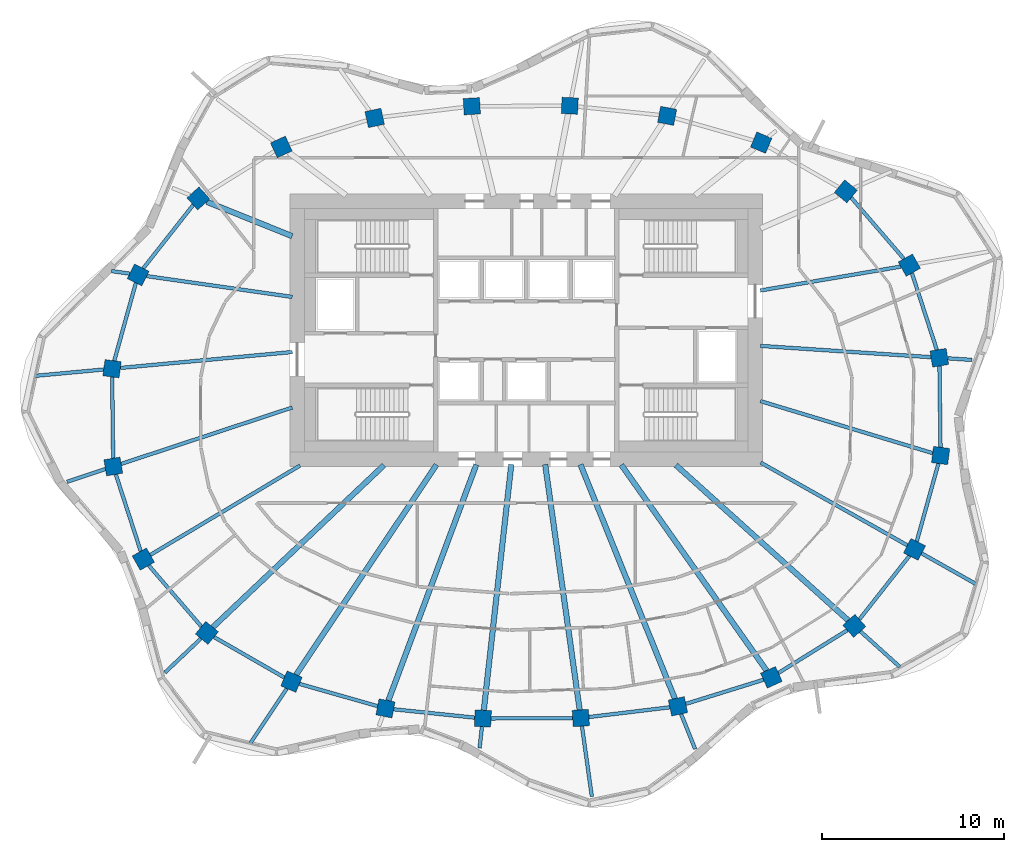
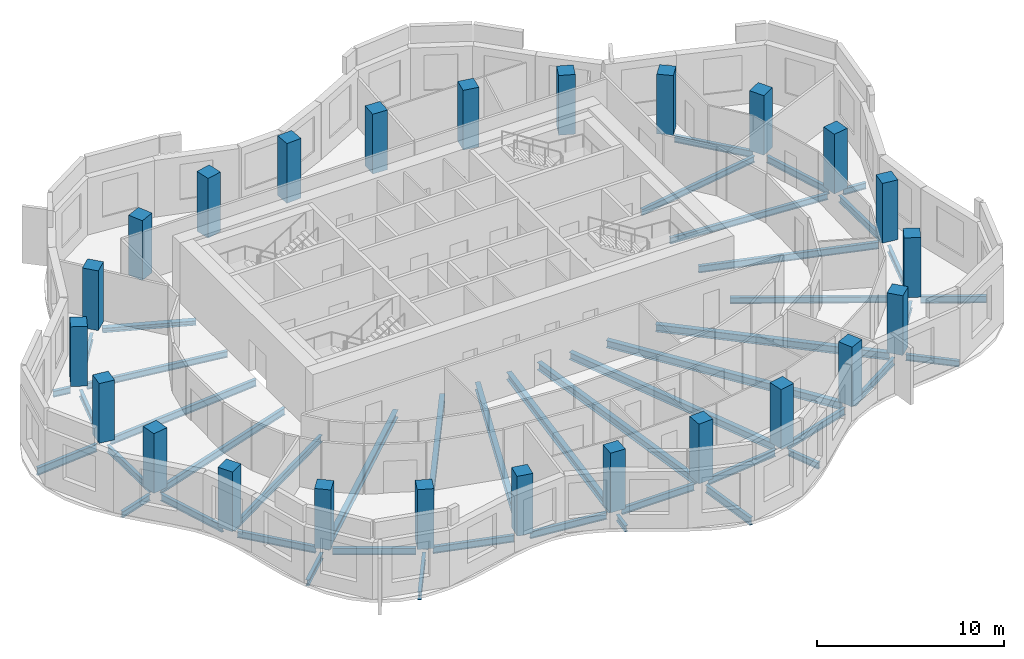
# One storey, part 1 of 10: 45 beams, 24 columns.
"""IFC4 building model written with IfcOpenShell, lengths in metres."""

from ifc_helpers import new_model, si_unit, direction, frame, origin, origin_2d, place, context, subcontext, project, spatial, rectangle, i_section, extrude, material, material_profile, profile_set, type_object, element, save


model = new_model("IFC4")

# Units and contexts
model_context = context("Model", 3, precision=1e-05, world=origin(), true_north=direction((0.0, 1.0)))
body_context = subcontext(model_context, "Body", "Model", "MODEL_VIEW")
ifc_project = project(units=[si_unit("LENGTHUNIT", "METRE"), si_unit("AREAUNIT", "SQUARE_METRE"), si_unit("VOLUMEUNIT", "CUBIC_METRE"), si_unit("PLANEANGLEUNIT", "RADIAN"), si_unit("MASSUNIT", "GRAM", prefix="KILO")], contexts=[model_context])

# Site, building, storey
site_placement = place(None, origin())
site = spatial("IfcSite", under=ifc_project, at=site_placement, CompositionType="ELEMENT")
building_placement = place(site_placement, origin())
building = spatial("IfcBuilding", under=site, at=building_placement, Name="Rubra Terraces Tower", CompositionType="ELEMENT")
storey_placement = place(building_placement, frame((0.0, 0.0, 292.199951171875)))
storey = spatial("IfcBuildingStorey", under=building, at=storey_placement, Name="L72", CompositionType="ELEMENT", Elevation=292.199951171875)

# Columns
ifc_material_1 = material(Name="Concrete C50", Category="concrete")
ifc_material_profile_1 = material_profile(ifc_material_1, rectangle(XDim=0.89990234375, YDim=0.89990234375, at=origin_2d()), Name="RC 900x900")
ifc_profile_set_1 = profile_set([ifc_material_profile_1], Name="Concrete C50")
column_type = type_object("IfcColumnType", Name="RING COLUMN RC 900x900 C50", PredefinedType="COLUMN", material=ifc_profile_set_1)
for number, where, z_axis, x_axis, name in (
    (1, (22.73388671875, 2.992919921875, 0.0), (0.0, 0.0, 1.0), (-0.162062155721, 0.986780551938, 0.0), "column-L72-ring-01"),
    (2, (21.0810546875, 8.090087890625, 0.0), (0.0, 0.0, 1.0), (-0.490161823029, 0.8716314515, 0.0), "column-L72-ring-02"),
    (3, (17.583984375, 12.15087890625, 0.0), (0.0, 0.0, 1.0), (-0.770679191336, 0.637223339216, 0.0), "column-L72-ring-03"),
    (4, (12.927001953125, 14.83203125, 0.0), (0.0, 0.0, 1.0), (-0.92110553102, 0.389312985558, 0.0), "column-L72-ring-04"),
    (5, (7.7509765625, 16.306884765625, 0.0), (0.0, 0.0, 1.0), (-0.981936574306, 0.189210369799, 0.0), "column-L72-ring-05"),
    (6, (2.39208984375, 16.862060546875, 0.0), (0.0, 0.0, 1.0), (-0.998791416829, 0.049149828786, 0.0), "column-L72-ring-06"),
    (7, (-2.9990234375, 16.8359375, 0.0), (0.0, 0.0, 1.0), (-0.998059443319, -0.062268351524, 0.0), "column-L72-ring-07"),
    (8, (-8.346923828125, 16.19189453125, 0.0), (0.0, 0.0, 1.0), (-0.977944102772, -0.208866780156, 0.0), "column-L72-ring-08"),
    (9, (-13.487060546875, 14.595947265625, 0.0), (0.0, 0.0, 1.0), (-0.90972649622, -0.415208022652, 0.0), "column-L72-ring-09"),
    (10, (-18.051025390625, 11.762939453125, 0.0), (0.0, 0.0, 1.0), (-0.7456420961, -0.66634665492, 0.0), "column-L72-ring-10"),
    (11, (-21.366943359375, 7.553955078125, 0.0), (0.0, 0.0, 1.0), (-0.452078869866, -0.891977968013, 0.0), "column-L72-ring-11"),
    (12, (-22.802001953125, 2.388916015625, 0.0), (0.0, 0.0, 1.0), (-0.128535191473, -0.991704948336, 0.0), "column-L72-ring-12"),
    (13, (-22.73388671875, -2.992919921875, 0.0), (0.0, 0.0, 1.0), (0.162062155721, -0.986780551938, 0.0), "column-L72-ring-13"),
    (14, (-21.0810546875, -8.090087890625, 0.0), (0.0, 0.0, 1.0), (0.490161823029, -0.8716314515, 0.0), "column-L72-ring-14"),
    (15, (-17.583984375, -12.15087890625, 0.0), (0.0, 0.0, 1.0), (0.770679191336, -0.637223339216, 0.0), "column-L72-ring-15"),
    (16, (-12.927001953125, -14.83203125, 0.0), (0.0, 0.0, 1.0), (0.92110553102, -0.389312985558, 0.0), "column-L72-ring-16"),
    (17, (-7.7509765625, -16.306884765625, 0.0), (0.0, 0.0, 1.0), (0.981936574306, -0.189210369799, 0.0), "column-L72-ring-17"),
    (18, (-2.39208984375, -16.862060546875, 0.0), (0.0, 0.0, 1.0), (0.998791416829, -0.049149828786, 0.0), "column-L72-ring-18"),
    (19, (2.9990234375, -16.8359375, 0.0), (0.0, 0.0, 1.0), (0.998059443319, 0.062268351524, 0.0), "column-L72-ring-19"),
    (20, (8.346923828125, -16.19189453125, 0.0), (0.0, 0.0, 1.0), (0.977944102772, 0.208866780156, 0.0), "column-L72-ring-20"),
    (21, (13.487060546875, -14.595947265625, 0.0), (0.0, 0.0, 1.0), (0.90972649622, 0.415208022652, 0.0), "column-L72-ring-21"),
    (22, (18.051025390625, -11.762939453125, 0.0), (0.0, 0.0, 1.0), (0.7456420961, 0.66634665492, 0.0), "column-L72-ring-22"),
    (23, (21.366943359375, -7.553955078125, 0.0), (0.0, 0.0, 1.0), (0.452078869866, 0.891977968013, 0.0), "column-L72-ring-23"),
    (24, (22.802001953125, -2.388916015625, 0.0), (0.0, 0.0, 1.0), (0.128535191473, 0.991704948336, 0.0), "column-L72-ring-24"),
):
    element("IfcColumn", number, at=place(storey_placement, frame(where, z_axis=z_axis, x_axis=x_axis)), inside=storey, type_object=column_type, Name=name, PredefinedType="COLUMN", context=body_context, shape_type="SweptSolid", body=[
        extrude(rectangle(XDim=0.89990234375, YDim=0.89990234375, at=origin_2d()), origin(), (0.0, 0.0, 1.0), 3.900146484375),
    ])

# Beams
ifc_material_2 = material(Name="Steel Q355B", Category="steel")
ifc_material_profile_2 = material_profile(ifc_material_2, i_section(OverallWidth=0.199951171875, OverallDepth=0.39990234375, WebThickness=0.008056640625, FlangeThickness=0.012939453125, at=origin_2d()), Name="HN 400x200x8x13")
ifc_profile_set_2 = profile_set([ifc_material_profile_2], Name="Steel Q355B")
beam_type_1 = type_object("IfcBeamType", Name="CANTILEVER BEAM HN 400x200x8x13", PredefinedType="BEAM", material=ifc_profile_set_2)
beam_1_placement = place(storey_placement, frame((-23.1669921875, -3.135986328125, -0.39990234375), z_axis=(-0.94984123822, -0.312732508987, 0.0), x_axis=(0.312732508987, -0.94984123822, 0.0)))
element("IfcBeam", 25, at=beam_1_placement, inside=storey, type_object=beam_type_1, Name="beam-L72-cant-13", PredefinedType="BEAM", context=body_context, shape_type="SweptSolid", body=[
    extrude(i_section(OverallWidth=0.199951171875, OverallDepth=0.39990234375, WebThickness=0.008056640625, FlangeThickness=0.012939453125, at=origin_2d()), origin(), (0.0, 0.0, 1.0), 2.22265625),
])
beam_2_placement = place(storey_placement, frame((-17.9130859375, -12.462890625, -0.39990234375), z_axis=(-0.726108422197, -0.687580220203, 0.0), x_axis=(0.687580220203, -0.726108422197, 0.0)))
element("IfcBeam", 26, at=beam_2_placement, inside=storey, type_object=beam_type_1, Name="beam-L72-cant-15", PredefinedType="BEAM", context=body_context, shape_type="SweptSolid", body=[
    extrude(i_section(OverallWidth=0.199951171875, OverallDepth=0.39990234375, WebThickness=0.008056640625, FlangeThickness=0.012939453125, at=origin_2d()), origin(), (0.0, 0.0, 1.0), 2.718505859375),
])
beam_3_placement = place(storey_placement, frame((8.51806640625, -16.615966796875, -0.39990234375), z_axis=(0.374142652642, -0.927371163814, 0.0), x_axis=(0.927371163814, 0.374142652642, 0.0)))
element("IfcBeam", 27, at=beam_3_placement, inside=storey, type_object=beam_type_1, Name="beam-L72-cant-20", PredefinedType="BEAM", context=body_context, shape_type="SweptSolid", body=[
    extrude(i_section(OverallWidth=0.199951171875, OverallDepth=0.39990234375, WebThickness=0.008056640625, FlangeThickness=0.012939453125, at=origin_2d()), origin(), (0.0, 0.0, 1.0), 2.078857421875),
])
beam_4_placement = place(storey_placement, frame((18.386962890625, -12.06591796875, -0.39990234375), z_axis=(0.742932803454, -0.669366005674, 0.0), x_axis=(0.669366005674, 0.742932803454, 0.0)))
element("IfcBeam", 28, at=beam_4_placement, inside=storey, type_object=beam_type_1, Name="beam-L72-cant-22", PredefinedType="BEAM", context=body_context, shape_type="SweptSolid", body=[
    extrude(i_section(OverallWidth=0.199951171875, OverallDepth=0.39990234375, WebThickness=0.008056640625, FlangeThickness=0.012939453125, at=origin_2d()), origin(), (0.0, 0.0, 1.0), 2.923828125),
])
ifc_material_profile_3 = material_profile(ifc_material_2, i_section(OverallWidth=0.198974609375, OverallDepth=0.446044921875, WebThickness=0.008056640625, FlangeThickness=0.011962890625, at=origin_2d()), Name="HN 446x199x8x12")
ifc_profile_set_3 = profile_set([ifc_material_profile_3], Name="Steel Q355B")
beam_type_2 = type_object("IfcBeamType", Name="CANTILEVER BEAM HN 446x199x8x12", PredefinedType="BEAM", material=ifc_profile_set_3)
beam_5_placement = place(storey_placement, frame((21.759033203125, -7.77490234375, -0.4228515625), z_axis=(0.870945880777, -0.49137895026, 0.0), x_axis=(0.49137895026, 0.870945880777, 0.0)))
element("IfcBeam", 29, at=beam_5_placement, inside=storey, type_object=beam_type_2, Name="beam-L72-cant-23", PredefinedType="BEAM", context=body_context, shape_type="SweptSolid", body=[
    extrude(i_section(OverallWidth=0.198974609375, OverallDepth=0.446044921875, WebThickness=0.008056640625, FlangeThickness=0.011962890625, at=origin_2d()), origin(), (0.0, 0.0, 1.0), 3.53515625),
])
ifc_material_profile_4 = material_profile(ifc_material_2, i_section(OverallWidth=0.198974609375, OverallDepth=0.49609375, WebThickness=0.009033203125, FlangeThickness=0.013916015625, at=origin_2d()), Name="HN 496x199x9x14")
ifc_profile_set_4 = profile_set([ifc_material_profile_4], Name="Steel Q355B")
beam_type_3 = type_object("IfcBeamType", Name="CANTILEVER BEAM HN 496x199x9x14", PredefinedType="BEAM", material=ifc_profile_set_4)
beam_6_placement = place(storey_placement, frame((-23.260986328125, 2.345947265625, -0.447998046875), z_axis=(-0.995751576587, -0.092080387299, 0.0), x_axis=(0.092080387299, -0.995751576587, 0.0)))
element("IfcBeam", 30, at=beam_6_placement, inside=storey, type_object=beam_type_3, Name="beam-L72-cant-12", PredefinedType="BEAM", context=body_context, shape_type="SweptSolid", body=[
    extrude(i_section(OverallWidth=0.198974609375, OverallDepth=0.49609375, WebThickness=0.009033203125, FlangeThickness=0.013916015625, at=origin_2d()), origin(), (0.0, 0.0, 1.0), 3.918701171875),
])
beam_7_placement = place(storey_placement, frame((-13.181884765625, -15.212890625, -0.447998046875), z_axis=(-0.555692252439, -0.831388068582, 0.0), x_axis=(0.831388068582, -0.555692252439, 0.0)))
element("IfcBeam", 31, at=beam_7_placement, inside=storey, type_object=beam_type_3, Name="beam-L72-cant-16", PredefinedType="BEAM", context=body_context, shape_type="SweptSolid", body=[
    extrude(i_section(OverallWidth=0.198974609375, OverallDepth=0.49609375, WebThickness=0.009033203125, FlangeThickness=0.013916015625, at=origin_2d()), origin(), (0.0, 0.0, 1.0), 3.746826171875),
])
beam_8_placement = place(storey_placement, frame((3.06201171875, -17.282958984375, -0.447998046875), z_axis=(0.139113240656, -0.990276479714, 0.0), x_axis=(0.990276479714, 0.139113240656, 0.0)))
element("IfcBeam", 32, at=beam_8_placement, inside=storey, type_object=beam_type_3, Name="beam-L72-cant-19", PredefinedType="BEAM", context=body_context, shape_type="SweptSolid", body=[
    extrude(i_section(OverallWidth=0.198974609375, OverallDepth=0.49609375, WebThickness=0.009033203125, FlangeThickness=0.013916015625, at=origin_2d()), origin(), (0.0, 0.0, 1.0), 3.91015625),
])
ifc_material_profile_5 = material_profile(ifc_material_2, i_section(OverallWidth=0.199951171875, OverallDepth=0.39990234375, WebThickness=0.008056640625, FlangeThickness=0.012939453125, at=origin_2d()), Name="HN 400x200x8x13")
ifc_profile_set_5 = profile_set([ifc_material_profile_5], Name="Steel Q355B")
beam_type_4 = type_object("IfcBeamType", Name="CANTILEVER STUB HN 400x200x8x13", PredefinedType="BEAM", material=ifc_profile_set_5)
beam_9_placement = place(storey_placement, frame((23.195068359375, 2.9619140625, -0.39990234375), z_axis=(0.99785850461, -0.065409515961, 0.0), x_axis=(0.065409515961, 0.99785850461, 0.0)))
element("IfcBeam", 33, at=beam_9_placement, inside=storey, type_object=beam_type_4, Name="beam-L72-cant-01", PredefinedType="BEAM", context=body_context, shape_type="SweptSolid", body=[
    extrude(i_section(OverallWidth=0.199951171875, OverallDepth=0.39990234375, WebThickness=0.008056640625, FlangeThickness=0.012939453125, at=origin_2d()), origin(), (0.0, 0.0, 1.0), 1.34375),
])
beam_10_placement = place(storey_placement, frame((-21.8369140625, 7.62109375, -0.39990234375), z_axis=(-0.989934873195, 0.141523661744, 0.0), x_axis=(-0.141523661744, -0.989934873195, 0.0)))
element("IfcBeam", 34, at=beam_10_placement, inside=storey, type_object=beam_type_4, Name="beam-L72-cant-11", PredefinedType="BEAM", context=body_context, shape_type="SweptSolid", body=[
    extrude(i_section(OverallWidth=0.199951171875, OverallDepth=0.39990234375, WebThickness=0.008056640625, FlangeThickness=0.012939453125, at=origin_2d()), origin(), (0.0, 0.0, 1.0), 1.002197265625),
])
beam_11_placement = place(storey_placement, frame((-2.44189453125, -17.31005859375, -0.39990234375), z_axis=(-0.111153107694, -0.993803293741, 0.0), x_axis=(0.993803293741, -0.111153107694, 0.0)))
element("IfcBeam", 35, at=beam_11_placement, inside=storey, type_object=beam_type_4, Name="beam-L72-cant-18", PredefinedType="BEAM", context=body_context, shape_type="SweptSolid", body=[
    extrude(i_section(OverallWidth=0.199951171875, OverallDepth=0.39990234375, WebThickness=0.008056640625, FlangeThickness=0.012939453125, at=origin_2d()), origin(), (0.0, 0.0, 1.0), 1.188232421875),
])
ifc_material_profile_6 = material_profile(ifc_material_2, i_section(OverallWidth=0.300048828125, OverallDepth=0.48193359375, WebThickness=0.010986328125, FlangeThickness=0.014892578125, at=origin_2d()), Name="HM 482x300x11x15")
ifc_profile_set_6 = profile_set([ifc_material_profile_6], Name="Steel Q355B")
beam_type_5 = type_object("IfcBeamType", Name="FLOOR BEAM HM 482x300x11x15", PredefinedType="BEAM", material=ifc_profile_set_6)
beam_12_placement = place(storey_placement, frame((-17.2548828125, -11.839111328125, -0.44091796875), z_axis=(0.726101482513, 0.687587548674, 0.0), x_axis=(-0.687587548674, 0.726101482513, 0.0)))
element("IfcBeam", 36, at=beam_12_placement, inside=storey, type_object=beam_type_5, Name="beam-L72-floor-15", PredefinedType="BEAM", context=body_context, shape_type="SweptSolid", body=[
    extrude(i_section(OverallWidth=0.300048828125, OverallDepth=0.48193359375, WebThickness=0.010986328125, FlangeThickness=0.014892578125, at=origin_2d()), origin(), (0.0, 0.0, 1.0), 12.97607421875),
])
beam_13_placement = place(storey_placement, frame((-12.672119140625, -14.450927734375, -0.44091796875), z_axis=(0.55586735335, 0.831271006038, 0.0), x_axis=(-0.831271006038, 0.55586735335, 0.0)))
element("IfcBeam", 37, at=beam_13_placement, inside=storey, type_object=beam_type_5, Name="beam-L72-floor-16", PredefinedType="BEAM", context=body_context, shape_type="SweptSolid", body=[
    extrude(i_section(OverallWidth=0.300048828125, OverallDepth=0.48193359375, WebThickness=0.010986328125, FlangeThickness=0.014892578125, at=origin_2d()), origin(), (0.0, 0.0, 1.0), 13.8955078125),
])
beam_14_placement = place(storey_placement, frame((-7.592041015625, -15.87890625, -0.44091796875), z_axis=(0.349129035616, 0.937074658973, 0.0), x_axis=(-0.937074658973, 0.349129035616, 0.0)))
element("IfcBeam", 38, at=beam_14_placement, inside=storey, type_object=beam_type_5, Name="beam-L72-floor-17", PredefinedType="BEAM", context=body_context, shape_type="SweptSolid", body=[
    extrude(i_section(OverallWidth=0.300048828125, OverallDepth=0.48193359375, WebThickness=0.010986328125, FlangeThickness=0.014892578125, at=origin_2d()), origin(), (0.0, 0.0, 1.0), 13.86328125),
])
beam_15_placement = place(storey_placement, frame((-2.342041015625, -16.4140625, -0.44091796875), z_axis=(0.111334672678, 0.993782969596, 0.0), x_axis=(-0.993782969596, 0.111334672678, 0.0)))
element("IfcBeam", 39, at=beam_15_placement, inside=storey, type_object=beam_type_5, Name="beam-L72-floor-18", PredefinedType="BEAM", context=body_context, shape_type="SweptSolid", body=[
    extrude(i_section(OverallWidth=0.300048828125, OverallDepth=0.48193359375, WebThickness=0.010986328125, FlangeThickness=0.014892578125, at=origin_2d()), origin(), (0.0, 0.0, 1.0), 13.61767578125),
])
beam_16_placement = place(storey_placement, frame((2.93603515625, -16.388916015625, -0.44091796875), z_axis=(-0.139140748081, 0.990272615103, 0.0), x_axis=(-0.990272615103, -0.139140748081, 0.0)))
element("IfcBeam", 40, at=beam_16_placement, inside=storey, type_object=beam_type_5, Name="beam-L72-floor-19", PredefinedType="BEAM", context=body_context, shape_type="SweptSolid", body=[
    extrude(i_section(OverallWidth=0.300048828125, OverallDepth=0.48193359375, WebThickness=0.010986328125, FlangeThickness=0.014892578125, at=origin_2d()), origin(), (0.0, 0.0, 1.0), 13.640380859375),
])
beam_17_placement = place(storey_placement, frame((8.176025390625, -15.76806640625, -0.44091796875), z_axis=(-0.374083693877, 0.927394948215, 0.0), x_axis=(-0.927394948215, -0.374083693877, 0.0)))
element("IfcBeam", 41, at=beam_17_placement, inside=storey, type_object=beam_type_5, Name="beam-L72-floor-20", PredefinedType="BEAM", context=body_context, shape_type="SweptSolid", body=[
    extrude(i_section(OverallWidth=0.300048828125, OverallDepth=0.48193359375, WebThickness=0.010986328125, FlangeThickness=0.014892578125, at=origin_2d()), origin(), (0.0, 0.0, 1.0), 13.887451171875),
])
beam_18_placement = place(storey_placement, frame((13.222900390625, -14.221923828125, -0.44091796875), z_axis=(-0.576895514811, 0.816817950948, 0.0), x_axis=(-0.816817950948, -0.576895514811, 0.0)))
element("IfcBeam", 42, at=beam_18_placement, inside=storey, type_object=beam_type_5, Name="beam-L72-floor-21", PredefinedType="BEAM", context=body_context, shape_type="SweptSolid", body=[
    extrude(i_section(OverallWidth=0.300048828125, OverallDepth=0.48193359375, WebThickness=0.010986328125, FlangeThickness=0.014892578125, at=origin_2d()), origin(), (0.0, 0.0, 1.0), 13.8583984375),
])
beam_19_placement = place(storey_placement, frame((17.715087890625, -11.4599609375, -0.44091796875), z_axis=(-0.742980094736, 0.669313513105, 0.0), x_axis=(-0.669313513105, -0.742980094736, 0.0)))
element("IfcBeam", 43, at=beam_19_placement, inside=storey, type_object=beam_type_5, Name="beam-L72-floor-22", PredefinedType="BEAM", context=body_context, shape_type="SweptSolid", body=[
    extrude(i_section(OverallWidth=0.300048828125, OverallDepth=0.48193359375, WebThickness=0.010986328125, FlangeThickness=0.014892578125, at=origin_2d()), origin(), (0.0, 0.0, 1.0), 12.759521484375),
])
ifc_material_profile_7 = material_profile(ifc_material_2, i_section(OverallWidth=0.199951171875, OverallDepth=0.39990234375, WebThickness=0.008056640625, FlangeThickness=0.012939453125, at=origin_2d()), Name="HN 400x200x8x13")
ifc_profile_set_7 = profile_set([ifc_material_profile_7], Name="Steel Q355B")
beam_type_6 = type_object("IfcBeamType", Name="FLOOR BEAM HN 400x200x8x13", PredefinedType="BEAM", material=ifc_profile_set_7)
beam_20_placement = place(storey_placement, frame((22.27294921875, 3.02392578125, -0.39990234375), z_axis=(-0.997814209988, 0.066081785285, 0.0), x_axis=(-0.066081785285, -0.997814209988, 0.0)))
element("IfcBeam", 44, at=beam_20_placement, inside=storey, type_object=beam_type_6, Name="beam-L72-floor-01", PredefinedType="BEAM", context=body_context, shape_type="SweptSolid", body=[
    extrude(i_section(OverallWidth=0.199951171875, OverallDepth=0.39990234375, WebThickness=0.008056640625, FlangeThickness=0.012939453125, at=origin_2d()), origin(), (0.0, 0.0, 1.0), 9.41357421875),
])
beam_21_placement = place(storey_placement, frame((20.610107421875, 8.010009765625, -0.39990234375), z_axis=(-0.985810425856, -0.167862456415, 0.0), x_axis=(0.167862456415, -0.985810425856, 0.0)))
element("IfcBeam", 45, at=beam_21_placement, inside=storey, type_object=beam_type_6, Name="beam-L72-floor-02", PredefinedType="BEAM", context=body_context, shape_type="SweptSolid", body=[
    extrude(i_section(OverallWidth=0.199951171875, OverallDepth=0.39990234375, WebThickness=0.008056640625, FlangeThickness=0.012939453125, at=origin_2d()), origin(), (0.0, 0.0, 1.0), 7.83935546875),
])
beam_22_placement = place(storey_placement, frame((-20.89697265625, 7.487060546875, -0.39990234375), z_axis=(0.98993441274, -0.141526882509, 0.0), x_axis=(0.141526882509, 0.98993441274, 0.0)))
element("IfcBeam", 46, at=beam_22_placement, inside=storey, type_object=beam_type_6, Name="beam-L72-floor-11", PredefinedType="BEAM", context=body_context, shape_type="SweptSolid", body=[
    extrude(i_section(OverallWidth=0.199951171875, OverallDepth=0.39990234375, WebThickness=0.008056640625, FlangeThickness=0.012939453125, at=origin_2d()), origin(), (0.0, 0.0, 1.0), 8.097412109375),
])
beam_23_placement = place(storey_placement, frame((20.97509765625, -7.3330078125, -0.39990234375), z_axis=(-0.870973270007, 0.491330400986, 0.0), x_axis=(-0.491330400986, -0.870973270007, 0.0)))
element("IfcBeam", 47, at=beam_23_placement, inside=storey, type_object=beam_type_6, Name="beam-L72-floor-23", PredefinedType="BEAM", context=body_context, shape_type="SweptSolid", body=[
    extrude(i_section(OverallWidth=0.199951171875, OverallDepth=0.39990234375, WebThickness=0.008056640625, FlangeThickness=0.012939453125, at=origin_2d()), origin(), (0.0, 0.0, 1.0), 9.277099609375),
])
ifc_material_profile_8 = material_profile(ifc_material_2, i_section(OverallWidth=0.198974609375, OverallDepth=0.446044921875, WebThickness=0.008056640625, FlangeThickness=0.011962890625, at=origin_2d()), Name="HN 446x199x8x12")
ifc_profile_set_8 = profile_set([ifc_material_profile_8], Name="Steel Q355B")
beam_type_7 = type_object("IfcBeamType", Name="FLOOR BEAM HN 446x199x8x12", PredefinedType="BEAM", material=ifc_profile_set_8)
beam_24_placement = place(storey_placement, frame((-22.343017578125, 2.431884765625, -0.4228515625), z_axis=(0.995739538303, 0.092210475874, 0.0), x_axis=(-0.092210475874, 0.995739538303, 0.0)))
element("IfcBeam", 48, at=beam_24_placement, inside=storey, type_object=beam_type_7, Name="beam-L72-floor-12", PredefinedType="BEAM", context=body_context, shape_type="SweptSolid", body=[
    extrude(i_section(OverallWidth=0.198974609375, OverallDepth=0.446044921875, WebThickness=0.008056640625, FlangeThickness=0.011962890625, at=origin_2d()), origin(), (0.0, 0.0, 1.0), 9.50244140625),
])
beam_25_placement = place(storey_placement, frame((-22.301025390625, -2.85009765625, -0.4228515625), z_axis=(0.949746725795, 0.313019419273, 0.0), x_axis=(-0.313019419273, 0.949746725795, 0.0)))
element("IfcBeam", 49, at=beam_25_placement, inside=storey, type_object=beam_type_7, Name="beam-L72-floor-13", PredefinedType="BEAM", context=body_context, shape_type="SweptSolid", body=[
    extrude(i_section(OverallWidth=0.198974609375, OverallDepth=0.446044921875, WebThickness=0.008056640625, FlangeThickness=0.011962890625, at=origin_2d()), origin(), (0.0, 0.0, 1.0), 9.913330078125),
])
beam_26_placement = place(storey_placement, frame((-20.695068359375, -7.85888671875, -0.4228515625), z_axis=(0.858552756119, 0.512725233396, 0.0), x_axis=(-0.512725233396, 0.858552756119, 0.0)))
element("IfcBeam", 50, at=beam_26_placement, inside=storey, type_object=beam_type_7, Name="beam-L72-floor-14", PredefinedType="BEAM", context=body_context, shape_type="SweptSolid", body=[
    extrude(i_section(OverallWidth=0.198974609375, OverallDepth=0.446044921875, WebThickness=0.008056640625, FlangeThickness=0.011962890625, at=origin_2d()), origin(), (0.0, 0.0, 1.0), 9.59765625),
])
beam_27_placement = place(storey_placement, frame((22.364990234375, -2.257080078125, -0.4228515625), z_axis=(-0.957268105474, 0.289201960992, 0.0), x_axis=(-0.289201960992, -0.957268105474, 0.0)))
element("IfcBeam", 51, at=beam_27_placement, inside=storey, type_object=beam_type_7, Name="beam-L72-floor-24", PredefinedType="BEAM", context=body_context, shape_type="SweptSolid", body=[
    extrude(i_section(OverallWidth=0.198974609375, OverallDepth=0.446044921875, WebThickness=0.008056640625, FlangeThickness=0.011962890625, at=origin_2d()), origin(), (0.0, 0.0, 1.0), 9.903076171875),
])
ifc_material_profile_9 = material_profile(ifc_material_2, i_section(OverallWidth=0.304931640625, OverallDepth=0.300048828125, WebThickness=0.014892578125, FlangeThickness=0.014892578125, at=origin_2d()), Name="HW 300x305x15x15")
ifc_profile_set_9 = profile_set([ifc_material_profile_9], Name="Steel Q355B")
beam_type_8 = type_object("IfcBeamType", Name="FLOOR BEAM HW 300x305x15x15", PredefinedType="BEAM", material=ifc_profile_set_9)
beam_28_placement = place(storey_placement, frame((-17.5849609375, 11.575927734375, -0.349853515625), z_axis=(0.927692985207, -0.373343977047, 0.0), x_axis=(0.373343977047, 0.927692985207, 0.0)))
element("IfcBeam", 52, at=beam_28_placement, inside=storey, type_object=beam_type_8, Name="beam-L72-floor-10", PredefinedType="BEAM", context=body_context, shape_type="SweptSolid", body=[
    extrude(i_section(OverallWidth=0.304931640625, OverallDepth=0.300048828125, WebThickness=0.014892578125, FlangeThickness=0.014892578125, at=origin_2d()), origin(), (0.0, 0.0, 1.0), 5.06201171875),
])
ifc_material_profile_10 = material_profile(ifc_material_2, i_section(OverallWidth=0.198974609375, OverallDepth=0.446044921875, WebThickness=0.008056640625, FlangeThickness=0.011962890625, at=origin_2d()), Name="HN 446x199x8x12")
ifc_profile_set_10 = profile_set([ifc_material_profile_10], Name="Steel Q355B")
beam_type_9 = type_object("IfcBeamType", Name="SPANDREL BEAM HN 446x199x8x12", PredefinedType="SPANDREL", material=ifc_profile_set_10)
beam_29_placement = place(storey_placement, frame((22.593994140625, 3.426025390625, -0.4228515625), z_axis=(-0.308536942246, 0.951212360764, 0.0), x_axis=(-0.951212360764, -0.308536942246, 0.0)))
element("IfcBeam", 53, at=beam_29_placement, inside=storey, type_object=beam_type_9, Name="beam-L72-spandrel-01", PredefinedType="SPANDREL", context=body_context, shape_type="SweptSolid", body=[
    extrude(i_section(OverallWidth=0.198974609375, OverallDepth=0.446044921875, WebThickness=0.008056640625, FlangeThickness=0.011962890625, at=origin_2d()), origin(), (0.0, 0.0, 1.0), 4.44384765625),
])
beam_30_placement = place(storey_placement, frame((20.781005859375, 8.43798828125, -0.4228515625), z_axis=(-0.652473175209, 0.757811820726, 0.0), x_axis=(-0.757811820726, -0.652473175209, 0.0)))
element("IfcBeam", 54, at=beam_30_placement, inside=storey, type_object=beam_type_9, Name="beam-L72-spandrel-02", PredefinedType="SPANDREL", context=body_context, shape_type="SweptSolid", body=[
    extrude(i_section(OverallWidth=0.198974609375, OverallDepth=0.446044921875, WebThickness=0.008056640625, FlangeThickness=0.011962890625, at=origin_2d()), origin(), (0.0, 0.0, 1.0), 4.44287109375),
])
beam_31_placement = place(storey_placement, frame((-18.333984375, 11.404052734375, -0.4228515625), z_axis=(-0.61888661349, -0.785480336891, 0.0), x_axis=(0.785480336891, -0.61888661349, 0.0)))
element("IfcBeam", 55, at=beam_31_placement, inside=storey, type_object=beam_type_9, Name="beam-L72-spandrel-10", PredefinedType="SPANDREL", context=body_context, shape_type="SweptSolid", body=[
    extrude(i_section(OverallWidth=0.198974609375, OverallDepth=0.446044921875, WebThickness=0.008056640625, FlangeThickness=0.011962890625, at=origin_2d()), origin(), (0.0, 0.0, 1.0), 4.44189453125),
])
beam_32_placement = place(storey_placement, frame((-21.489990234375, 7.112060546875, -0.4228515625), z_axis=(-0.267564585696, -0.963539927809, 0.0), x_axis=(0.963539927809, -0.267564585696, 0.0)))
element("IfcBeam", 56, at=beam_32_placement, inside=storey, type_object=beam_type_9, Name="beam-L72-spandrel-11", PredefinedType="SPANDREL", context=body_context, shape_type="SweptSolid", body=[
    extrude(i_section(OverallWidth=0.198974609375, OverallDepth=0.446044921875, WebThickness=0.008056640625, FlangeThickness=0.011962890625, at=origin_2d()), origin(), (0.0, 0.0, 1.0), 4.447265625),
])
beam_33_placement = place(storey_placement, frame((-22.7958984375, 1.93408203125, -0.4228515625), z_axis=(0.01250038801, -0.999921867097, 0.0), x_axis=(0.999921867097, 0.01250038801, 0.0)))
element("IfcBeam", 57, at=beam_33_placement, inside=storey, type_object=beam_type_9, Name="beam-L72-spandrel-12", PredefinedType="SPANDREL", context=body_context, shape_type="SweptSolid", body=[
    extrude(i_section(OverallWidth=0.198974609375, OverallDepth=0.446044921875, WebThickness=0.008056640625, FlangeThickness=0.011962890625, at=origin_2d()), origin(), (0.0, 0.0, 1.0), 4.472412109375),
])
beam_34_placement = place(storey_placement, frame((-22.593994140625, -3.426025390625, -0.4228515625), z_axis=(0.308536942246, -0.951212360764, 0.0), x_axis=(0.951212360764, 0.308536942246, 0.0)))
element("IfcBeam", 58, at=beam_34_placement, inside=storey, type_object=beam_type_9, Name="beam-L72-spandrel-13", PredefinedType="SPANDREL", context=body_context, shape_type="SweptSolid", body=[
    extrude(i_section(OverallWidth=0.198974609375, OverallDepth=0.446044921875, WebThickness=0.008056640625, FlangeThickness=0.011962890625, at=origin_2d()), origin(), (0.0, 0.0, 1.0), 4.44384765625),
])
beam_35_placement = place(storey_placement, frame((-20.781005859375, -8.43798828125, -0.4228515625), z_axis=(0.652473175209, -0.757811820726, 0.0), x_axis=(0.757811820726, 0.652473175209, 0.0)))
element("IfcBeam", 59, at=beam_35_placement, inside=storey, type_object=beam_type_9, Name="beam-L72-spandrel-14", PredefinedType="SPANDREL", context=body_context, shape_type="SweptSolid", body=[
    extrude(i_section(OverallWidth=0.198974609375, OverallDepth=0.446044921875, WebThickness=0.008056640625, FlangeThickness=0.011962890625, at=origin_2d()), origin(), (0.0, 0.0, 1.0), 4.44287109375),
])
beam_36_placement = place(storey_placement, frame((-17.18798828125, -12.37890625, -0.4228515625), z_axis=(0.866616005945, -0.498975648945, 0.0), x_axis=(0.498975648945, 0.866616005945, 0.0)))
element("IfcBeam", 60, at=beam_36_placement, inside=storey, type_object=beam_type_9, Name="beam-L72-spandrel-15", PredefinedType="SPANDREL", context=body_context, shape_type="SweptSolid", body=[
    extrude(i_section(OverallWidth=0.198974609375, OverallDepth=0.446044921875, WebThickness=0.008056640625, FlangeThickness=0.011962890625, at=origin_2d()), origin(), (0.0, 0.0, 1.0), 4.463134765625),
])
beam_37_placement = place(storey_placement, frame((-12.490966796875, -14.9560546875, -0.4228515625), z_axis=(0.961713024643, -0.27405849418, 0.0), x_axis=(0.27405849418, 0.961713024643, 0.0)))
element("IfcBeam", 61, at=beam_37_placement, inside=storey, type_object=beam_type_9, Name="beam-L72-spandrel-16", PredefinedType="SPANDREL", context=body_context, shape_type="SweptSolid", body=[
    extrude(i_section(OverallWidth=0.198974609375, OverallDepth=0.446044921875, WebThickness=0.008056640625, FlangeThickness=0.011962890625, at=origin_2d()), origin(), (0.0, 0.0, 1.0), 4.477294921875),
])
beam_38_placement = place(storey_placement, frame((-7.302001953125, -16.35400390625, -0.4228515625), z_axis=(0.994684107425, -0.102973425873, 0.0), x_axis=(0.102973425873, 0.994684107425, 0.0)))
element("IfcBeam", 62, at=beam_38_placement, inside=storey, type_object=beam_type_9, Name="beam-L72-spandrel-17", PredefinedType="SPANDREL", context=body_context, shape_type="SweptSolid", body=[
    extrude(i_section(OverallWidth=0.198974609375, OverallDepth=0.446044921875, WebThickness=0.008056640625, FlangeThickness=0.011962890625, at=origin_2d()), origin(), (0.0, 0.0, 1.0), 4.48583984375),
])
beam_39_placement = place(storey_placement, frame((-1.94091796875, -16.860107421875, -0.4228515625), z_axis=(0.999987753188, 0.004949088244, 0.0), x_axis=(-0.004949088244, 0.999987753188, 0.0)))
element("IfcBeam", 63, at=beam_39_placement, inside=storey, type_object=beam_type_9, Name="beam-L72-spandrel-18", PredefinedType="SPANDREL", context=body_context, shape_type="SweptSolid", body=[
    extrude(i_section(OverallWidth=0.198974609375, OverallDepth=0.446044921875, WebThickness=0.008056640625, FlangeThickness=0.011962890625, at=origin_2d()), origin(), (0.0, 0.0, 1.0), 4.489013671875),
])
beam_40_placement = place(storey_placement, frame((3.447021484375, -16.781982421875, -0.4228515625), z_axis=(0.992829862118, 0.119536040116, 0.0), x_axis=(-0.119536040116, 0.992829862118, 0.0)))
element("IfcBeam", 64, at=beam_40_placement, inside=storey, type_object=beam_type_9, Name="beam-L72-spandrel-19", PredefinedType="SPANDREL", context=body_context, shape_type="SweptSolid", body=[
    extrude(i_section(OverallWidth=0.198974609375, OverallDepth=0.446044921875, WebThickness=0.008056640625, FlangeThickness=0.011962890625, at=origin_2d()), origin(), (0.0, 0.0, 1.0), 4.483154296875),
])
beam_41_placement = place(storey_placement, frame((8.779052734375, -16.05810546875, -0.4228515625), z_axis=(0.955035382264, 0.296491852541, 0.0), x_axis=(-0.296491852541, 0.955035382264, 0.0)))
element("IfcBeam", 65, at=beam_41_placement, inside=storey, type_object=beam_type_9, Name="beam-L72-spandrel-20", PredefinedType="SPANDREL", context=body_context, shape_type="SweptSolid", body=[
    extrude(i_section(OverallWidth=0.198974609375, OverallDepth=0.446044921875, WebThickness=0.008056640625, FlangeThickness=0.011962890625, at=origin_2d()), origin(), (0.0, 0.0, 1.0), 4.47607421875),
])
beam_42_placement = place(storey_placement, frame((13.8720703125, -14.35693359375, -0.4228515625), z_axis=(0.849641857012, 0.527360137679, 0.0), x_axis=(-0.527360137679, 0.849641857012, 0.0)))
element("IfcBeam", 66, at=beam_42_placement, inside=storey, type_object=beam_type_9, Name="beam-L72-spandrel-21", PredefinedType="SPANDREL", context=body_context, shape_type="SweptSolid", body=[
    extrude(i_section(OverallWidth=0.198974609375, OverallDepth=0.446044921875, WebThickness=0.008056640625, FlangeThickness=0.011962890625, at=origin_2d()), origin(), (0.0, 0.0, 1.0), 4.4619140625),
])
beam_43_placement = place(storey_placement, frame((18.333984375, -11.404052734375, -0.4228515625), z_axis=(0.61888661349, 0.785480336891, 0.0), x_axis=(-0.785480336891, 0.61888661349, 0.0)))
element("IfcBeam", 67, at=beam_43_placement, inside=storey, type_object=beam_type_9, Name="beam-L72-spandrel-22", PredefinedType="SPANDREL", context=body_context, shape_type="SweptSolid", body=[
    extrude(i_section(OverallWidth=0.198974609375, OverallDepth=0.446044921875, WebThickness=0.008056640625, FlangeThickness=0.011962890625, at=origin_2d()), origin(), (0.0, 0.0, 1.0), 4.44189453125),
])
beam_44_placement = place(storey_placement, frame((21.489990234375, -7.112060546875, -0.4228515625), z_axis=(0.267564585696, 0.963539927809, 0.0), x_axis=(-0.963539927809, 0.267564585696, 0.0)))
element("IfcBeam", 68, at=beam_44_placement, inside=storey, type_object=beam_type_9, Name="beam-L72-spandrel-23", PredefinedType="SPANDREL", context=body_context, shape_type="SweptSolid", body=[
    extrude(i_section(OverallWidth=0.198974609375, OverallDepth=0.446044921875, WebThickness=0.008056640625, FlangeThickness=0.011962890625, at=origin_2d()), origin(), (0.0, 0.0, 1.0), 4.447265625),
])
beam_45_placement = place(storey_placement, frame((22.7958984375, -1.93408203125, -0.4228515625), z_axis=(-0.01250038801, 0.999921867097, 0.0), x_axis=(-0.999921867097, -0.01250038801, 0.0)))
element("IfcBeam", 69, at=beam_45_placement, inside=storey, type_object=beam_type_9, Name="beam-L72-spandrel-24", PredefinedType="SPANDREL", context=body_context, shape_type="SweptSolid", body=[
    extrude(i_section(OverallWidth=0.198974609375, OverallDepth=0.446044921875, WebThickness=0.008056640625, FlangeThickness=0.011962890625, at=origin_2d()), origin(), (0.0, 0.0, 1.0), 4.472412109375),
])

save(model, "model.ifc")
